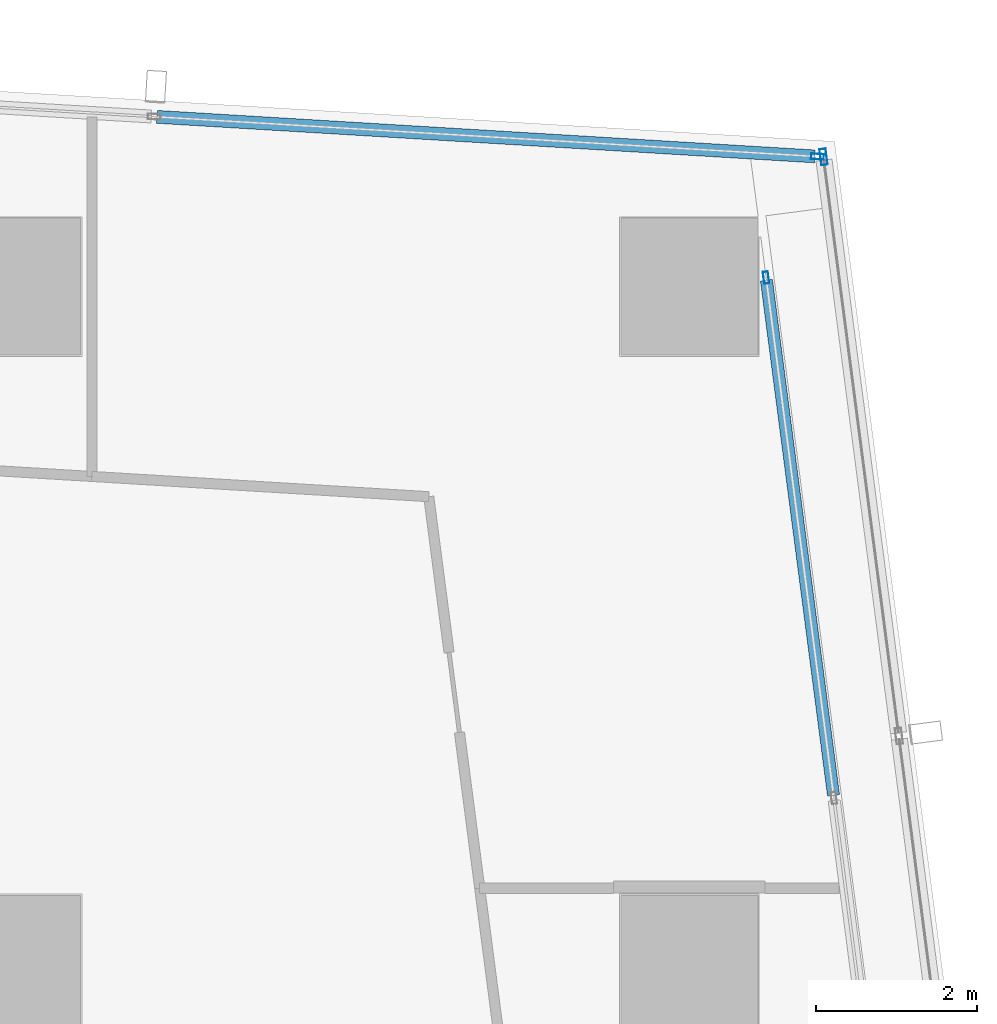
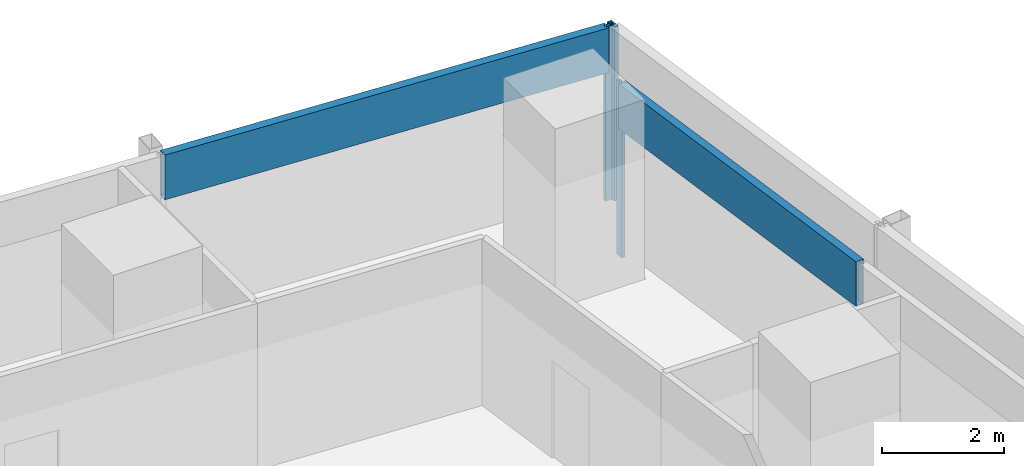
# One storey, part 20 of 40: 5 members, 3 elements without a shape of their own.
"""IFC4 building model written with IfcOpenShell, lengths in metres."""

from ifc_helpers import new_model, si_unit, direction, frame, origin, origin_2d, place, context, subcontext, project, spatial, hollow_rectangle, extrude, material, material_profile, profile_set, type_object, element, aggregate, save


model = new_model("IFC4")

# Units and contexts
model_context = context("Model", 3, precision=1e-05, world=origin(), true_north=direction((0.0, 1.0)))
body_context = subcontext(model_context, "Body", "Model", "MODEL_VIEW")
ifc_project = project(units=[si_unit("LENGTHUNIT", "METRE"), si_unit("AREAUNIT", "SQUARE_METRE"), si_unit("VOLUMEUNIT", "CUBIC_METRE"), si_unit("PLANEANGLEUNIT", "RADIAN"), si_unit("MASSUNIT", "GRAM", prefix="KILO")], contexts=[model_context])

# Site, building, storey
site_placement = place(None, origin())
site = spatial("IfcSite", under=ifc_project, at=site_placement, CompositionType="ELEMENT")
building_placement = place(site_placement, origin())
building = spatial("IfcBuilding", under=site, at=building_placement, Name="Rekha Terrace Tower", CompositionType="ELEMENT")
storey_placement = place(building_placement, frame((0.0, 0.0, 106.550048828125)))
storey = spatial("IfcBuildingStorey", under=building, at=storey_placement, Name="L26", CompositionType="ELEMENT", Elevation=106.550048828125)

# Curtain wall, members
ifc_material_1 = material(Name="Aluminium framing", Category="aluminium")
curtain_wall_type_1 = type_object("IfcCurtainWallType", Name="CW1 double skin inner glazing", PredefinedType="USERDEFINED", material=ifc_material_1)
curtain_wall_1_placement = place(storey_placement, origin())
curtain_wall_1 = element("IfcCurtainWall", 1, at=curtain_wall_1_placement, inside=storey, type_object=curtain_wall_type_1, Name="CW1 double skin inner glazing", ObjectType="DOUBLE SKIN INNER GLAZING", PredefinedType="USERDEFINED")
ifc_material_2 = material(Name="Aluminium mullion section", Category="aluminium")
ifc_material_profile_1 = material_profile(ifc_material_2, hollow_rectangle(XDim=0.06494140625, YDim=0.14990234375, WallThickness=0.00390625, at=origin_2d()), Name="AL RHS 65x150")
ifc_profile_set_1 = profile_set([ifc_material_profile_1], Name="Aluminium mullion section")
member_type_1 = type_object("IfcMemberType", Name="CW1 mullion RHS 65 x 150", PredefinedType="MULLION", material=ifc_profile_set_1)
member_1_placement = place(storey_placement, frame((68.15087890625, 58.910888671875, 0.0), z_axis=(0.0, 0.0, 1.0), x_axis=(-0.991629186237, -0.129118383675, 0.0)))
member_1 = element("IfcMember", 2, at=member_1_placement, type_object=member_type_1, Name="CW1 mullion 3", PredefinedType="MULLION", context=body_context, shape_type="SweptSolid", body=[
    extrude(hollow_rectangle(XDim=0.06494140625, YDim=0.14990234375, WallThickness=0.00390625, at=origin_2d()), origin(), (0.0, 0.0, 1.0), 3.5),
])
ifc_material_3 = material(Name="Insulated aluminium spandrel box", Category="aluminium")
ifc_material_profile_2 = material_profile(ifc_material_3, hollow_rectangle(XDim=0.14990234375, YDim=0.89990234375, WallThickness=0.0029296875, at=origin_2d()), Name="AL SPANDREL BOX 150x900")
ifc_profile_set_2 = profile_set([ifc_material_profile_2], Name="Insulated aluminium spandrel box")
member_type_2 = type_object("IfcMemberType", Name="CW1 spandrel transom 150 x 900", PredefinedType="USERDEFINED", material=ifc_profile_set_2)
member_2_placement = place(storey_placement, frame((68.987060546875, 52.48974609375, 3.050048828125), z_axis=(-0.129102663866, 0.991631232961, 0.0), x_axis=(-0.991631232961, -0.129102663866, 0.0)))
member_2 = element("IfcMember", 3, at=member_2_placement, type_object=member_type_2, Name="CW1 spandrel transom 2", ObjectType="TRANSOM", PredefinedType="USERDEFINED", context=body_context, shape_type="SweptSolid", body=[
    extrude(hollow_rectangle(XDim=0.14990234375, YDim=0.89990234375, WallThickness=0.0029296875, at=origin_2d()), origin(), (0.0, 0.0, 1.0), 6.44287109375),
])
aggregate(curtain_wall_1, [member_1, member_2])

# Curtain wall, member
curtain_wall_type_2 = type_object("IfcCurtainWallType", Name="CW2 double skin outer glazing", PredefinedType="USERDEFINED", material=ifc_material_1)
curtain_wall_2_placement = place(storey_placement, origin())
curtain_wall_2 = element("IfcCurtainWall", 4, at=curtain_wall_2_placement, inside=storey, type_object=curtain_wall_type_2, Name="CW2 double skin outer glazing", ObjectType="DOUBLE SKIN OUTER GLAZING", PredefinedType="USERDEFINED")
ifc_material_profile_3 = material_profile(ifc_material_2, hollow_rectangle(XDim=0.080078125, YDim=0.199951171875, WallThickness=0.00390625, at=origin_2d()), Name="AL RHS 80x200")
ifc_profile_set_3 = profile_set([ifc_material_profile_3], Name="Aluminium mullion section")
member_type_3 = type_object("IfcMemberType", Name="CW2 mullion RHS 80 x 200", PredefinedType="MULLION", material=ifc_profile_set_3)
member_3_placement = place(storey_placement, frame((68.863525390625, 60.408447265625, 0.0), z_axis=(0.0, 0.0, 1.0), x_axis=(-0.991629186244, -0.129118383623, 0.0)))
member_3 = element("IfcMember", 5, at=member_3_placement, type_object=member_type_3, Name="CW2 mullion 3", PredefinedType="MULLION", context=body_context, shape_type="SweptSolid", body=[
    extrude(hollow_rectangle(XDim=0.080078125, YDim=0.199951171875, WallThickness=0.00390625, at=origin_2d()), origin(), (0.0, 0.0, 1.0), 3.5),
])
aggregate(curtain_wall_2, [member_3])

# Curtain wall, members
curtain_wall_type_3 = type_object("IfcCurtainWallType", Name="CW3 north unitised glazing", PredefinedType="USERDEFINED", material=ifc_material_1)
curtain_wall_3_placement = place(storey_placement, origin())
curtain_wall_3 = element("IfcCurtainWall", 6, at=curtain_wall_3_placement, inside=storey, type_object=curtain_wall_type_3, Name="CW3 unitised curtain wall", ObjectType="UNITISED CURTAIN WALL", PredefinedType="USERDEFINED")
ifc_material_profile_4 = material_profile(ifc_material_2, hollow_rectangle(XDim=0.070068359375, YDim=0.159912109375, WallThickness=0.00390625, at=origin_2d()), Name="AL RHS 70x160")
ifc_profile_set_4 = profile_set([ifc_material_profile_4], Name="Aluminium mullion section")
member_type_4 = type_object("IfcMemberType", Name="CW3 mullion RHS 70 x 160", PredefinedType="MULLION", material=ifc_profile_set_4)
member_4_placement = place(storey_placement, frame((68.7880859375, 60.412353515625, 0.0), z_axis=(0.0, 0.0, 1.0), x_axis=(-0.059987926837, -0.998199102701, 0.0)))
member_4 = element("IfcMember", 7, at=member_4_placement, type_object=member_type_4, Name="CW3 mullion 1", PredefinedType="MULLION", context=body_context, shape_type="SweptSolid", body=[
    extrude(hollow_rectangle(XDim=0.070068359375, YDim=0.159912109375, WallThickness=0.00390625, at=origin_2d()), origin(), (0.0, 0.0, 1.0), 3.5),
])
ifc_material_profile_5 = material_profile(ifc_material_3, hollow_rectangle(XDim=0.159912109375, YDim=0.89990234375, WallThickness=0.0029296875, at=origin_2d()), Name="AL SPANDREL BOX 160x900")
ifc_profile_set_5 = profile_set([ifc_material_profile_5], Name="Insulated aluminium spandrel box")
member_type_5 = type_object("IfcMemberType", Name="CW3 spandrel transom 160 x 900", PredefinedType="USERDEFINED", material=ifc_profile_set_5)
member_5_placement = place(storey_placement, frame((68.753173828125, 60.41455078125, 3.050048828125), z_axis=(-0.998198874769, 0.05999171951, 0.0), x_axis=(-0.05999171951, -0.998198874769, 0.0)))
member_5 = element("IfcMember", 8, at=member_5_placement, type_object=member_type_5, Name="CW3 spandrel transom 1", ObjectType="TRANSOM", PredefinedType="USERDEFINED", context=body_context, shape_type="SweptSolid", body=[
    extrude(hollow_rectangle(XDim=0.159912109375, YDim=0.89990234375, WallThickness=0.0029296875, at=origin_2d()), origin(), (0.0, 0.0, 1.0), 8.171630859375),
])
aggregate(curtain_wall_3, [member_4, member_5])

save(model, "model.ifc")
